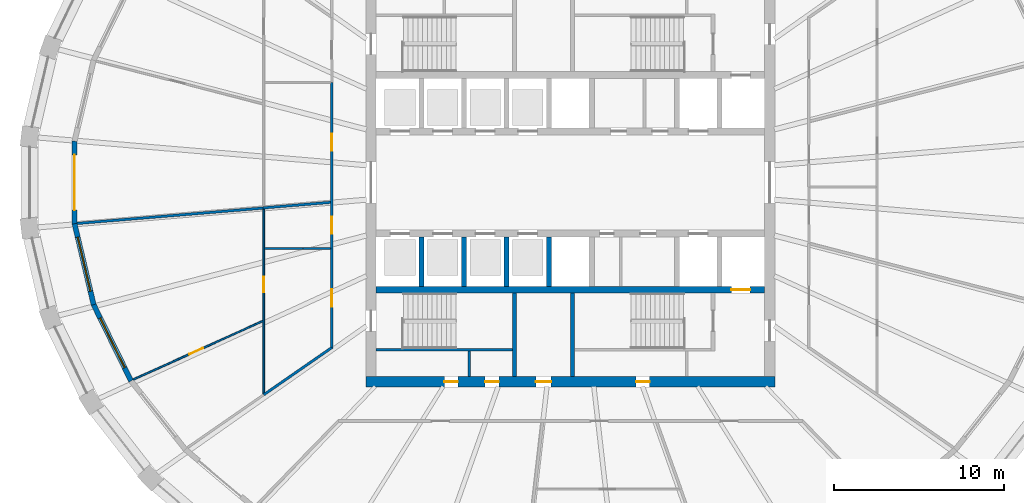
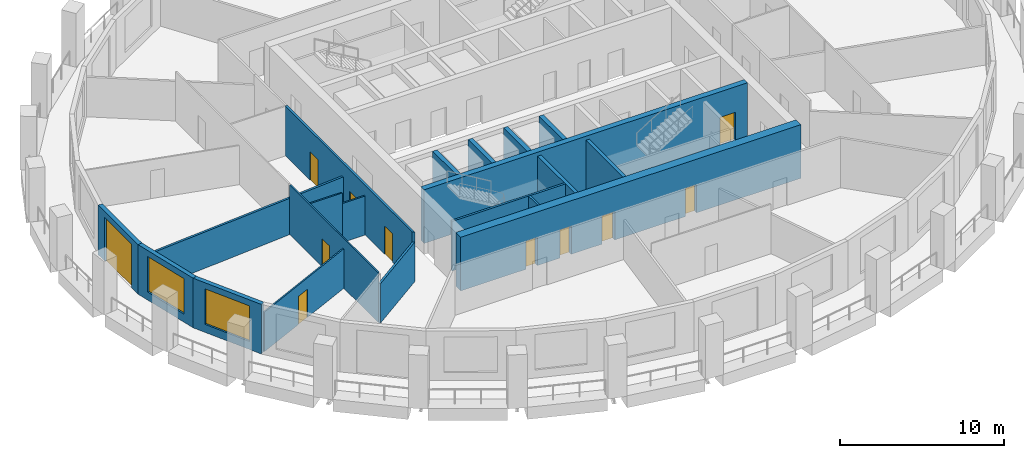
# One storey, part 3 of 11: 21 walls, 11 doors, 2 windows, 13 openings.
"""IFC4 building model written with IfcOpenShell, lengths in metres."""

from ifc_helpers import new_model, si_unit, direction, frame, frame_2d, origin, place, context, subcontext, project, spatial, polyline, rectangle, outline, extrude, material, layer, layer_set, type_object, element, fill, save


model = new_model("IFC4")

# Units and contexts
model_context = context("Model", 3, precision=1e-05, world=origin(), true_north=direction((0.0, 1.0)))
body_context = subcontext(model_context, "Body", "Model", "MODEL_VIEW")
ifc_project = project(units=[si_unit("LENGTHUNIT", "METRE"), si_unit("AREAUNIT", "SQUARE_METRE"), si_unit("VOLUMEUNIT", "CUBIC_METRE"), si_unit("PLANEANGLEUNIT", "RADIAN"), si_unit("MASSUNIT", "GRAM", prefix="KILO")], contexts=[model_context])

# Site, building, storey
site_placement = place(None, origin())
site = spatial("IfcSite", under=ifc_project, at=site_placement, CompositionType="ELEMENT")
building_placement = place(site_placement, origin())
building = spatial("IfcBuilding", under=site, at=building_placement, Name="Halqa Exchange Tower", CompositionType="ELEMENT")
storey_placement = place(building_placement, frame((0.0, 0.0, 214.89990234375)))
storey = spatial("IfcBuildingStorey", under=building, at=storey_placement, Name="L49", CompositionType="ELEMENT", Elevation=214.89990234375)

# Walls
ifc_material_1 = material(Name="Fire-rated gypsum board")
ifc_layer_1 = layer(ifc_material_1, 0.14990234375)
ifc_layer_set_1 = layer_set([ifc_layer_1], Name="Fire-rated gypsum board")
wall_type_1 = type_object("IfcWallType", Name="Fire partition EI 60 150", PredefinedType="PARTITIONING", material=ifc_layer_set_1)
wall_1_placement = place(storey_placement, frame((-18.0, -12.4599609375, 0.0), z_axis=(0.0, 0.0, 1.0), x_axis=(0.822102584422, 0.56933938972, 0.0)))
element("IfcWall", 1, at=wall_1_placement, inside=storey, type_object=wall_type_1, Name="L49-PWL-004", PredefinedType="PARTITIONING", context=body_context, shape_type="SweptSolid", body=[
    extrude(outline(polyline([(0.0, -0.074951171875), (1.634765625, -0.074951171875), (3.269775390625, -0.074951171875), (4.904541015625, -0.074951171875), (4.826171875, 0.074951171875), (3.21728515625, 0.074951171875), (1.608642578125, 0.074951171875), (0.0, 0.074951171875), (0.0, -0.074951171875)])), origin(), (0.0, 0.0, 1.0), 2.947021484375),
])
wall_2_placement = place(storey_placement, frame((-18.04931640625, -1.504150390625, 0.0), z_axis=(0.0, 0.0, 1.0), x_axis=(-0.996601116086, -0.082378488796, 0.0)))
element("IfcWall", 2, at=wall_2_placement, inside=storey, type_object=wall_type_1, Name="L49-PWL-007", PredefinedType="PARTITIONING", context=body_context, shape_type="SweptSolid", body=[
    extrude(outline(polyline([(10.935791015625, -0.074951171875), (10.935791015625, 0.0439453125), (10.93115234375, 0.074951171875), (9.1103515625, 0.074951171875), (7.289794921875, 0.074951171875), (5.468994140625, 0.074951171875), (3.648193359375, 0.074951171875), (1.82763671875, 0.074951171875), (0.0068359375, 0.074951171875), (0.0068359375, 0.074462890625), (0.001953125, 0.074951171875), (0.0, 0.074951171875), (0.0, -0.074951171875), (1.82275390625, -0.074951171875), (3.645263671875, -0.074951171875), (5.4677734375, -0.074951171875), (7.29052734375, -0.074951171875), (9.11328125, -0.074951171875), (10.935791015625, -0.074951171875)])), origin(), (0.0, 0.0, 1.0), 2.710205078125),
])

# Wall, openings, doors
wall_3_placement = place(storey_placement, frame((-14.0, -9.729248046875, 0.0), z_axis=(0.0, 0.0, 1.0), x_axis=(0.0, 1.0, 0.0)))
wall_3 = element("IfcWall", 3, at=wall_3_placement, inside=storey, type_object=wall_type_1, Name="L49-PWL-011", PredefinedType="PARTITIONING", context=body_context, shape_type="SweptSolid", body=[
    extrude(outline(polyline([(15.58935546875, 0.074951171875), (13.650390625, 0.074951171875), (11.711669921875, 0.074951171875), (9.772705078125, 0.074951171875), (7.833984375, 0.074951171875), (5.89501953125, 0.074951171875), (3.956298828125, 0.074951171875), (2.017333984375, 0.074951171875), (0.07861328125, 0.074951171875), (0.0, -0.074951171875), (0.0, -0.074951171875), (1.94873046875, -0.074951171875), (3.8974609375, -0.074951171875), (5.845947265625, -0.074951171875), (7.794677734375, -0.074951171875), (9.743408203125, -0.074951171875), (11.69189453125, -0.074951171875), (13.640625, -0.074951171875), (15.58935546875, -0.074951171875), (15.58935546875, 0.074951171875)])), origin(), (0.0, 0.0, 1.0), 3.7001953125),
])
opening_1_placement = place(wall_3_placement, frame((11.579345703125, 0.0, 0.0)))
opening_1 = element("IfcOpeningElement", 4, at=opening_1_placement, cuts=wall_3, Name="Opening 15-05", PredefinedType="OPENING", context=body_context, shape_type="SweptSolid", body=[
    extrude(rectangle(XDim=1.0, YDim=2.10009765625, at=frame_2d((0.5, 1.050048828125))), frame((0.0, 0.0869140625, 0.0), z_axis=(0.0, -1.0, 0.0), x_axis=(1.0, 0.0, 0.0)), (0.0, 0.0, 1.0), 0.173828125),
])
opening_2_placement = place(wall_3_placement, frame((2.44921875, 0.0, 0.0)))
opening_2 = element("IfcOpeningElement", 5, at=opening_2_placement, cuts=wall_3, Name="Opening 15-06", PredefinedType="OPENING", context=body_context, shape_type="SweptSolid", body=[
    extrude(rectangle(XDim=1.0, YDim=2.10009765625, at=frame_2d((0.5, 1.050048828125))), frame((0.0, 0.0869140625, 0.0), z_axis=(0.0, -1.0, 0.0), x_axis=(1.0, 0.0, 0.0)), (0.0, 0.0, 1.0), 0.173828125),
])
opening_3_placement = place(wall_3_placement, frame((6.71435546875, 0.0, 0.0)))
opening_3 = element("IfcOpeningElement", 6, at=opening_3_placement, cuts=wall_3, Name="Opening 15-07", PredefinedType="OPENING", context=body_context, shape_type="SweptSolid", body=[
    extrude(rectangle(XDim=1.0, YDim=2.10009765625, at=frame_2d((0.5, 1.050048828125))), frame((0.0, 0.0869140625, 0.0), z_axis=(0.0, -1.0, 0.0), x_axis=(1.0, 0.0, 0.0)), (0.0, 0.0, 1.0), 0.173828125),
])
ifc_material_2 = material(Name="Steel fire door leaf", Category="steel")
door_type_1 = type_object("IfcDoorType", Name="Fire door FD30S 1000 x 2100", OperationType="SINGLE_SWING_LEFT", PredefinedType="DOOR", material=ifc_material_2)
door_1_placement = place(opening_1_placement, origin())
door_1 = element("IfcDoor", 7, at=door_1_placement, inside=storey, type_object=door_type_1, Name="L49-IDR-005", OperationType="SINGLE_SWING_LEFT", OverallHeight=2.10009765625, OverallWidth=1.0, PredefinedType="DOOR", context=body_context, shape_type="SweptSolid", body=[
    extrude(rectangle(XDim=1.0, YDim=2.10009765625, at=frame_2d((0.5, 1.050048828125))), frame((0.0, 0.02490234375, 0.0), z_axis=(0.0, -1.0, 0.0), x_axis=(1.0, 0.0, 0.0)), (0.0, 0.0, 1.0), 0.050048828125),
])
fill(opening_1, door_1)
door_2_placement = place(opening_2_placement, origin())
door_2 = element("IfcDoor", 8, at=door_2_placement, inside=storey, type_object=door_type_1, Name="L49-IDR-006", OperationType="SINGLE_SWING_LEFT", OverallHeight=2.10009765625, OverallWidth=1.0, PredefinedType="DOOR", context=body_context, shape_type="SweptSolid", body=[
    extrude(rectangle(XDim=1.0, YDim=2.10009765625, at=frame_2d((0.5, 1.050048828125))), frame((0.0, 0.02490234375, 0.0), z_axis=(0.0, -1.0, 0.0), x_axis=(1.0, 0.0, 0.0)), (0.0, 0.0, 1.0), 0.050048828125),
])
fill(opening_2, door_2)
door_3_placement = place(opening_3_placement, origin())
door_3 = element("IfcDoor", 9, at=door_3_placement, inside=storey, type_object=door_type_1, Name="L49-IDR-007", OperationType="SINGLE_SWING_LEFT", OverallHeight=2.10009765625, OverallWidth=1.0, PredefinedType="DOOR", context=body_context, shape_type="SweptSolid", body=[
    extrude(rectangle(XDim=1.0, YDim=2.10009765625, at=frame_2d((0.5, 1.050048828125))), frame((0.0, 0.02490234375, 0.0), z_axis=(0.0, -1.0, 0.0), x_axis=(1.0, 0.0, 0.0)), (0.0, 0.0, 1.0), 0.050048828125),
])
fill(opening_3, door_3)

# Wall
wall_4_placement = place(storey_placement, frame((-14.0693359375, -1.165771484375, 0.0), z_axis=(0.0, 0.0, 1.0), x_axis=(-0.996614549641, -0.082215810186, 0.0)))
element("IfcWall", 10, at=wall_4_placement, inside=storey, type_object=wall_type_1, Name="L49-PWL-012", PredefinedType="PARTITIONING", context=body_context, shape_type="SweptSolid", body=[
    extrude(outline(polyline([(0.0, -0.074951171875), (1.94384765625, -0.074951171875), (3.8876953125, -0.074951171875), (3.88818359375, -0.067138671875), (3.982421875, -0.074951171875), (3.993896484375, -0.074951171875), (3.993896484375, 0.074951171875), (2.0029296875, 0.074951171875), (0.011962890625, 0.074951171875), (0.0, -0.06884765625), (0.0, -0.074951171875)])), origin(), (0.0, 0.0, 1.0), 2.710205078125),
])

# Wall, opening, door
ifc_material_3 = material(Name="Gypsum board")
ifc_layer_2 = layer(ifc_material_3, 0.10009765625)
ifc_layer_set_2 = layer_set([ifc_layer_2], Name="Gypsum board")
wall_type_2 = type_object("IfcWallType", Name="Partition 100 gypsum", PredefinedType="PARTITIONING", material=ifc_layer_set_2)
wall_5_placement = place(storey_placement, frame((-18.0, -12.42138671875, 0.0), z_axis=(0.0, 0.0, 1.0), x_axis=(0.0, 1.0, 0.0)))
wall_5 = element("IfcWall", 11, at=wall_5_placement, inside=storey, type_object=wall_type_2, Name="L49-PWL-003", PredefinedType="PARTITIONING", context=body_context, shape_type="SweptSolid", body=[
    extrude(outline(polyline([(0.08740234375, -0.050048828125), (1.77001953125, -0.050048828125), (3.452880859375, -0.050048828125), (5.1357421875, -0.050048828125), (6.818603515625, -0.050048828125), (8.50146484375, -0.050048828125), (8.50146484375, -0.050048828125), (8.601318359375, -0.050048828125), (8.601318359375, -0.050048828125), (10.84228515625, -0.050048828125), (10.84228515625, 0.046142578125), (10.842041015625, 0.050048828125), (9.19140625, 0.050048828125), (7.541015625, 0.050048828125), (5.890380859375, 0.050048828125), (4.239990234375, 0.050048828125), (4.235107421875, 0.0478515625), (4.23388671875, 0.050048828125), (2.82275390625, 0.050048828125), (1.411376953125, 0.050048828125), (0.0, 0.050048828125), (0.0, 0.049560546875), (0.0107421875, 0.0341796875), (0.023193359375, 0.042724609375), (0.08740234375, -0.050048828125)])), origin(), (0.0, 0.0, 1.0), 3.7001953125),
])
opening_4_placement = place(wall_5_placement, frame((5.9814453125, 0.0, 0.0)))
opening_4 = element("IfcOpeningElement", 12, at=opening_4_placement, cuts=wall_5, Name="Opening 15-17", PredefinedType="OPENING", context=body_context, shape_type="SweptSolid", body=[
    extrude(rectangle(XDim=0.89990234375, YDim=2.10009765625, at=frame_2d((0.449951171875, 1.050048828125))), frame((0.0, 0.06201171875, 0.0), z_axis=(0.0, -1.0, 0.0), x_axis=(1.0, 0.0, 0.0)), (0.0, 0.0, 1.0), 0.1240234375),
])
ifc_material_4 = material(Name="Timber door leaf", Category="wood")
door_type_2 = type_object("IfcDoorType", Name="Door 900 x 2100", OperationType="SINGLE_SWING_LEFT", PredefinedType="DOOR", material=ifc_material_4)
door_4_placement = place(opening_4_placement, frame((0.89990234375, 0.0, 0.0), z_axis=(0.0, 0.0, 1.0), x_axis=(-1.0, 0.0, 0.0)))
door_4 = element("IfcDoor", 13, at=door_4_placement, inside=storey, type_object=door_type_2, Name="L49-IDR-017", OperationType="SINGLE_SWING_RIGHT", OverallHeight=2.10009765625, OverallWidth=0.89990234375, PredefinedType="DOOR", context=body_context, shape_type="SweptSolid", body=[
    extrude(rectangle(XDim=0.89990234375, YDim=2.10009765625, at=frame_2d((0.449951171875, 1.050048828125))), frame((0.0, 0.02490234375, 0.0), z_axis=(0.0, -1.0, 0.0), x_axis=(1.0, 0.0, 0.0)), (0.0, 0.0, 1.0), 0.050048828125),
])
fill(opening_4, door_4)

wall_6_placement = place(storey_placement, frame((-18.029541015625, -8.123291015625, 0.0), z_axis=(0.0, 0.0, 1.0), x_axis=(-0.911431984772, -0.411450771216, 0.0)))
wall_6 = element("IfcWall", 14, at=wall_6_placement, inside=storey, type_object=wall_type_2, Name="L49-PWL-005", PredefinedType="PARTITIONING", context=body_context, shape_type="SweptSolid", body=[
    extrude(outline(polyline([(8.372314453125, -0.050048828125), (8.372314453125, -0.0419921875), (8.370849609375, -0.000244140625), (8.3583984375, 0.050048828125), (6.69580078125, 0.050048828125), (5.032958984375, 0.050048828125), (3.370361328125, 0.050048828125), (1.707763671875, 0.050048828125), (0.044921875, 0.050048828125), (0.0, -0.0498046875), (0.0, -0.050048828125), (1.674560546875, -0.050048828125), (3.348876953125, -0.050048828125), (5.0234375, -0.050048828125), (6.69775390625, -0.050048828125), (8.372314453125, -0.050048828125)])), origin(), (0.0, 0.0, 1.0), 2.947021484375),
])
opening_5_placement = place(wall_6_placement, frame((3.867919921875, 0.0, 0.0)))
opening_5 = element("IfcOpeningElement", 15, at=opening_5_placement, cuts=wall_6, Name="Opening 15-18", PredefinedType="OPENING", context=body_context, shape_type="SweptSolid", body=[
    extrude(rectangle(XDim=0.89990234375, YDim=2.10009765625, at=frame_2d((0.449951171875, 1.050048828125))), frame((0.0, 0.06201171875, 0.0), z_axis=(0.0, -1.0, 0.0), x_axis=(1.0, 0.0, 0.0)), (0.0, 0.0, 1.0), 0.1240234375),
])
door_5_placement = place(opening_5_placement, origin())
door_5 = element("IfcDoor", 16, at=door_5_placement, inside=storey, type_object=door_type_2, Name="L49-IDR-018", OperationType="SINGLE_SWING_LEFT", OverallHeight=2.10009765625, OverallWidth=0.89990234375, PredefinedType="DOOR", context=body_context, shape_type="SweptSolid", body=[
    extrude(rectangle(XDim=0.89990234375, YDim=2.10009765625, at=frame_2d((0.449951171875, 1.050048828125))), frame((0.0, 0.02490234375, 0.0), z_axis=(0.0, -1.0, 0.0), x_axis=(1.0, 0.0, 0.0)), (0.0, 0.0, 1.0), 0.050048828125),
])
fill(opening_5, door_5)

# Walls
wall_7_placement = place(storey_placement, frame((-17.949951171875, -3.8701171875, 0.0), z_axis=(0.0, 0.0, 1.0), x_axis=(1.0, 0.0, 0.0)))
element("IfcWall", 17, at=wall_7_placement, inside=storey, type_object=wall_type_2, Name="L49-PWL-006", PredefinedType="PARTITIONING", context=body_context, shape_type="SweptSolid", body=[
    extrude(rectangle(XDim=2.2578125, YDim=0.10009765625, at=frame_2d((1.12890625, 0.0))), origin(), (0.0, 0.0, 1.0), 3.7001953125),
])
wall_8_placement = place(storey_placement, frame((-15.692138671875, -3.8701171875, 0.0), z_axis=(0.0, 0.0, 1.0), x_axis=(1.0, 0.0, 0.0)))
element("IfcWall", 18, at=wall_8_placement, inside=storey, type_object=wall_type_2, Name="L49-PWL-040", PredefinedType="PARTITIONING", context=body_context, shape_type="SweptSolid", body=[
    extrude(rectangle(XDim=1.6171875, YDim=0.10009765625, at=frame_2d((0.80859375, 0.0))), origin(), (0.0, 0.0, 1.0), 2.91015625),
])
ifc_layer_3 = layer(ifc_material_3, 0.14990234375)
ifc_layer_set_3 = layer_set([ifc_layer_3], Name="Gypsum board")
wall_type_3 = type_object("IfcWallType", Name="Penthouse riser wall 150 gypsum", PredefinedType="PARTITIONING", material=ifc_layer_set_3)
wall_9_placement = place(storey_placement, frame((-5.925048828125, -11.39990234375, 0.0), z_axis=(0.0, 0.0, 1.0), x_axis=(0.0, 1.0, 0.0)))
element("IfcWall", 19, at=wall_9_placement, inside=storey, type_object=wall_type_3, Name="Partition W5.925 S", PredefinedType="PARTITIONING", context=body_context, shape_type="SweptSolid", body=[
    extrude(rectangle(XDim=1.5, YDim=0.14990234375, at=frame_2d((0.75, 0.0))), origin(), (0.0, 0.0, 1.0), 3.7001953125),
])
ifc_material_5 = material(Name="Concrete C60/75", Category="concrete")
ifc_layer_4 = layer(ifc_material_5, 0.300048828125)
ifc_layer_set_4 = layer_set([ifc_layer_4], Name="Concrete C60/75")
wall_type_4 = type_object("IfcWallType", Name="RC core wall 300", PredefinedType="SHEAR", material=ifc_layer_set_4)
for number, where, z_axis, x_axis, name in (
    (20, (-8.75, -6.10009765625, 0.0), (0.0, 0.0, 1.0), (0.0, 1.0, 0.0), "Shaft divider S1"),
    (21, (-6.25, -6.10009765625, 0.0), (0.0, 0.0, 1.0), (0.0, 1.0, 0.0), "Shaft divider S2"),
    (22, (-3.75, -6.10009765625, 0.0), (0.0, 0.0, 1.0), (0.0, 1.0, 0.0), "Shaft divider S3"),
    (23, (-1.25, -6.10009765625, 0.0), (0.0, 0.0, 1.0), (0.0, 1.0, 0.0), "Shaft divider S4"),
):
    element("IfcWall", number, at=place(storey_placement, frame(where, z_axis=z_axis, x_axis=x_axis)), inside=storey, type_object=wall_type_4, Name=name, PredefinedType="SHEAR", context=body_context, shape_type="SweptSolid", body=[
        extrude(rectangle(XDim=2.900146484375, YDim=0.300048828125, at=frame_2d((1.4501953125, 0.0))), origin(), (0.0, 0.0, 1.0), 4.0),
    ])

# Wall, opening, door
ifc_material_6 = material(Name="Concrete C70/85", Category="concrete")
ifc_layer_5 = layer(ifc_material_6, 0.39990234375)
ifc_layer_set_5 = layer_set([ifc_layer_5], Name="Concrete C70/85")
wall_type_5 = type_object("IfcWallType", Name="RC core wall 400 C70/85", PredefinedType="SHEAR", material=ifc_layer_set_5)
wall_10_placement = place(storey_placement, frame((-11.39990234375, -6.300048828125, 0.0), z_axis=(0.0, 0.0, 1.0), x_axis=(1.0, 0.0, 0.0)))
wall_10 = element("IfcWall", 24, at=wall_10_placement, inside=storey, type_object=wall_type_5, Name="Lift row back wall S", PredefinedType="SHEAR", context=body_context, shape_type="SweptSolid", body=[
    extrude(rectangle(XDim=22.7998046875, YDim=0.39990234375, at=frame_2d((11.39990234375, 0.0))), origin(), (0.0, 0.0, 1.0), 4.0),
])
opening_6_placement = place(wall_10_placement, frame((20.85009765625, 0.0, 0.0)))
opening_6 = element("IfcOpeningElement", 25, at=opening_6_placement, cuts=wall_10, Name="Opening LD-FF2-T15", PredefinedType="OPENING", context=body_context, shape_type="SweptSolid", body=[
    extrude(rectangle(XDim=1.10009765625, YDim=2.10009765625, at=frame_2d((0.550048828125, 1.050048828125))), frame((0.0, 0.2119140625, 0.0), z_axis=(0.0, -1.0, 0.0), x_axis=(1.0, 0.0, 0.0)), (0.0, 0.0, 1.0), 0.423828125),
])
ifc_material_7 = material(Name="Stainless steel", Category="steel")
door_type_3 = type_object("IfcDoorType", Name="Lift landing door 1100 x 2100", OperationType="SLIDING_TO_LEFT", PredefinedType="DOOR", material=ifc_material_7)
door_6_placement = place(opening_6_placement, origin())
door_6 = element("IfcDoor", 26, at=door_6_placement, inside=storey, type_object=door_type_3, Name="Lift landing door FF2", OperationType="SLIDING_TO_LEFT", OverallHeight=2.10009765625, OverallWidth=1.10009765625, PredefinedType="DOOR", context=body_context, shape_type="SweptSolid", body=[
    extrude(rectangle(XDim=1.10009765625, YDim=2.10009765625, at=frame_2d((0.550048828125, 1.050048828125))), frame((0.0, 0.02490234375, 0.0), z_axis=(0.0, -1.0, 0.0), x_axis=(1.0, 0.0, 0.0)), (0.0, 0.0, 1.0), 0.050048828125),
])
fill(opening_6, door_6)

# Wall, openings, doors
ifc_layer_6 = layer(ifc_material_6, 0.60009765625)
ifc_layer_set_6 = layer_set([ifc_layer_6], Name="Concrete C70/85")
wall_type_6 = type_object("IfcWallType", Name="RC core wall 600 C70/85", PredefinedType="SHEAR", material=ifc_layer_set_6)
wall_11_placement = place(storey_placement, frame((-12.0, -11.699951171875, 0.0), z_axis=(0.0, 0.0, 1.0), x_axis=(1.0, 0.0, 0.0)))
wall_11 = element("IfcWall", 27, at=wall_11_placement, inside=storey, type_object=wall_type_6, Name="Core wall south", PredefinedType="SHEAR", context=body_context, shape_type="SweptSolid", body=[
    extrude(rectangle(XDim=24.0, YDim=0.60009765625, at=frame_2d((12.0, 0.0))), origin(), (0.0, 0.0, 1.0), 4.0),
])
opening_7_placement = place(wall_11_placement, frame((9.97509765625, 0.0, 0.0)))
opening_7 = element("IfcOpeningElement", 28, at=opening_7_placement, cuts=wall_11, Name="Opening T15-C25", PredefinedType="OPENING", context=body_context, shape_type="SweptSolid", body=[
    extrude(rectangle(XDim=0.89990234375, YDim=2.10009765625, at=frame_2d((0.449951171875, 1.050048828125))), frame((0.0, 0.31201171875, 0.0), z_axis=(0.0, -1.0, 0.0), x_axis=(1.0, 0.0, 0.0)), (0.0, 0.0, 1.0), 0.6240234375),
])
opening_8_placement = place(wall_11_placement, frame((4.60009765625, 0.0, 0.0)))
opening_8 = element("IfcOpeningElement", 29, at=opening_8_placement, cuts=wall_11, Name="Opening T15-C26", PredefinedType="OPENING", context=body_context, shape_type="SweptSolid", body=[
    extrude(rectangle(XDim=0.800048828125, YDim=2.10009765625, at=frame_2d((0.39990234375, 1.050048828125))), frame((0.0, 0.31201171875, 0.0), z_axis=(0.0, -1.0, 0.0), x_axis=(1.0, 0.0, 0.0)), (0.0, 0.0, 1.0), 0.6240234375),
])
opening_9_placement = place(wall_11_placement, frame((7.0, 0.0, 0.0)))
opening_9 = element("IfcOpeningElement", 30, at=opening_9_placement, cuts=wall_11, Name="Opening T15-C27", PredefinedType="OPENING", context=body_context, shape_type="SweptSolid", body=[
    extrude(rectangle(XDim=0.800048828125, YDim=2.10009765625, at=frame_2d((0.39990234375, 1.050048828125))), frame((0.0, 0.31201171875, 0.0), z_axis=(0.0, -1.0, 0.0), x_axis=(1.0, 0.0, 0.0)), (0.0, 0.0, 1.0), 0.6240234375),
])
opening_10_placement = place(wall_11_placement, frame((15.85009765625, 0.0, 0.0)))
opening_10 = element("IfcOpeningElement", 31, at=opening_10_placement, cuts=wall_11, Name="Opening T15-C28", PredefinedType="OPENING", context=body_context, shape_type="SweptSolid", body=[
    extrude(rectangle(XDim=0.800048828125, YDim=2.10009765625, at=frame_2d((0.39990234375, 1.050048828125))), frame((0.0, 0.31201171875, 0.0), z_axis=(0.0, -1.0, 0.0), x_axis=(1.0, 0.0, 0.0)), (0.0, 0.0, 1.0), 0.6240234375),
])
ifc_material_8 = material(Name="Timber fire door leaf", Category="wood")
door_type_4 = type_object("IfcDoorType", Name="Core room door FD30 900 x 2100", OperationType="SINGLE_SWING_LEFT", PredefinedType="DOOR", material=ifc_material_8)
door_7_placement = place(opening_7_placement, origin())
door_7 = element("IfcDoor", 32, at=door_7_placement, inside=storey, type_object=door_type_4, Name="Core room door", OperationType="SINGLE_SWING_RIGHT", OverallHeight=2.10009765625, OverallWidth=0.89990234375, PredefinedType="DOOR", context=body_context, shape_type="SweptSolid", body=[
    extrude(rectangle(XDim=0.89990234375, YDim=2.10009765625, at=frame_2d((0.449951171875, 1.050048828125))), frame((0.0, 0.02490234375, 0.0), z_axis=(0.0, -1.0, 0.0), x_axis=(1.0, 0.0, 0.0)), (0.0, 0.0, 1.0), 0.050048828125),
])
fill(opening_7, door_7)
door_type_5 = type_object("IfcDoorType", Name="Riser door FD60 800 x 2100", OperationType="SINGLE_SWING_LEFT", PredefinedType="DOOR", material=ifc_material_2)
door_8_placement = place(opening_8_placement, origin())
door_8 = element("IfcDoor", 33, at=door_8_placement, inside=storey, type_object=door_type_5, Name="Core room door", OperationType="SINGLE_SWING_LEFT", OverallHeight=2.10009765625, OverallWidth=0.800048828125, PredefinedType="DOOR", context=body_context, shape_type="SweptSolid", body=[
    extrude(rectangle(XDim=0.800048828125, YDim=2.10009765625, at=frame_2d((0.39990234375, 1.050048828125))), frame((0.0, 0.02490234375, 0.0), z_axis=(0.0, -1.0, 0.0), x_axis=(1.0, 0.0, 0.0)), (0.0, 0.0, 1.0), 0.050048828125),
])
fill(opening_8, door_8)
door_9_placement = place(opening_9_placement, origin())
door_9 = element("IfcDoor", 34, at=door_9_placement, inside=storey, type_object=door_type_5, Name="Core room door", OperationType="SINGLE_SWING_RIGHT", OverallHeight=2.10009765625, OverallWidth=0.800048828125, PredefinedType="DOOR", context=body_context, shape_type="SweptSolid", body=[
    extrude(rectangle(XDim=0.800048828125, YDim=2.10009765625, at=frame_2d((0.39990234375, 1.050048828125))), frame((0.0, 0.02490234375, 0.0), z_axis=(0.0, -1.0, 0.0), x_axis=(1.0, 0.0, 0.0)), (0.0, 0.0, 1.0), 0.050048828125),
])
fill(opening_9, door_9)
door_10_placement = place(opening_10_placement, origin())
door_10 = element("IfcDoor", 35, at=door_10_placement, inside=storey, type_object=door_type_5, Name="Core room door", OperationType="SINGLE_SWING_LEFT", OverallHeight=2.10009765625, OverallWidth=0.800048828125, PredefinedType="DOOR", context=body_context, shape_type="SweptSolid", body=[
    extrude(rectangle(XDim=0.800048828125, YDim=2.10009765625, at=frame_2d((0.39990234375, 1.050048828125))), frame((0.0, 0.02490234375, 0.0), z_axis=(0.0, -1.0, 0.0), x_axis=(1.0, 0.0, 0.0)), (0.0, 0.0, 1.0), 0.050048828125),
])
fill(opening_10, door_10)

# Walls
ifc_material_9 = material(Name="Concrete C30/37", Category="concrete")
ifc_layer_7 = layer(ifc_material_9, 0.14990234375)
ifc_layer_set_7 = layer_set([ifc_layer_7], Name="Concrete C30/37")
wall_type_7 = type_object("IfcWallType", Name="RC stair wall 150 C30/37", PredefinedType="SHEAR", material=ifc_layer_set_7)
wall_12_placement = place(storey_placement, frame((-11.39990234375, -9.824951171875, 0.0), z_axis=(0.0, 0.0, 1.0), x_axis=(1.0, 0.0, 0.0)))
element("IfcWall", 36, at=wall_12_placement, inside=storey, type_object=wall_type_7, Name="Stair ST1 north wall S", PredefinedType="SHEAR", context=body_context, shape_type="SweptSolid", body=[
    extrude(rectangle(XDim=8.0, YDim=0.14990234375, at=frame_2d((4.0, 0.0))), origin(), (0.0, 0.0, 1.0), 3.7001953125),
])
ifc_layer_8 = layer(ifc_material_9, 0.25)
ifc_layer_set_8 = layer_set([ifc_layer_8], Name="Concrete C30/37")
wall_type_8 = type_object("IfcWallType", Name="RC stair wall 250 C30/37", PredefinedType="SHEAR", material=ifc_layer_set_8)
for number, where, z_axis, x_axis, name in (
    (37, (-3.27490234375, -11.39990234375, 0.0), (0.0, 0.0, 1.0), (0.0, 1.0, 0.0), "Stair ST1 east wall S"),
    (38, (0.125, -11.39990234375, 0.0), (0.0, 0.0, 1.0), (0.0, 1.0, 0.0), "Stair ST2 west wall S"),
):
    element("IfcWall", number, at=place(storey_placement, frame(where, z_axis=z_axis, x_axis=x_axis)), inside=storey, type_object=wall_type_8, Name=name, PredefinedType="SHEAR", context=body_context, shape_type="SweptSolid", body=[
        extrude(rectangle(XDim=4.89990234375, YDim=0.25, at=frame_2d((2.449951171875, 0.0))), origin(), (0.0, 0.0, 1.0), 3.7001953125),
    ])

# Wall, opening, door
ifc_material_10 = material(Name="Limestone cladding", Category="masonry")
ifc_layer_9 = layer(ifc_material_10, 0.0400390625)
ifc_material_11 = material(Name="Ventilated cavity")
ifc_layer_10 = layer(ifc_material_11, 0.030029296875, ventilated=True)
ifc_material_12 = material(Name="Mineral wool insulation")
ifc_layer_11 = layer(ifc_material_12, 0.10009765625)
ifc_layer_12 = layer(ifc_material_9, 0.10009765625)
ifc_material_13 = material(Name="Internal plaster")
ifc_layer_13 = layer(ifc_material_13, 0.030029296875)
ifc_layer_set_9 = layer_set([ifc_layer_9, ifc_layer_10, ifc_layer_11, ifc_layer_12, ifc_layer_13], Name="Stone-faced insulated wall 300")
wall_type_9 = type_object("IfcWallType", Name="Stone-faced insulated wall 300", PredefinedType="STANDARD", material=ifc_layer_set_9)
wall_13_placement = place(storey_placement, frame((-29.1044921875, 2.422607421875, 0.0), z_axis=(0.0, 0.0, 1.0), x_axis=(0.0, -1.0, 0.0)))
wall_13 = element("IfcWall", 39, at=wall_13_placement, inside=storey, type_object=wall_type_9, Name="Glass-line wall 16", PredefinedType="STANDARD", context=body_context, shape_type="SweptSolid", body=[
    extrude(outline(polyline([(-0.017333984375, -0.14990234375), (4.862548828125, -0.14990234375), (4.827880859375, 0.14990234375), (0.017333984375, 0.14990234375), (-0.017333984375, -0.14990234375)])), origin(), (0.0, 0.0, 1.0), 3.7001953125),
])
opening_11_placement = place(wall_13_placement, frame((0.797607421875, 0.0, 0.0)))
opening_11 = element("IfcOpeningElement", 40, at=opening_11_placement, cuts=wall_13, Name="Opening LG-F3-04", PredefinedType="OPENING", context=body_context, shape_type="SweptSolid", body=[
    extrude(rectangle(XDim=3.25, YDim=3.25, at=frame_2d((1.625, 1.625))), frame((0.0, 0.162109375, 0.0), z_axis=(0.0, -1.0, 0.0), x_axis=(1.0, 0.0, 0.0)), (0.0, 0.0, 1.0), 0.323974609375),
])
ifc_material_14 = material(Name="Clear low-emissivity glass in aluminium frame", Category="aluminium")
door_type_6 = type_object("IfcDoorType", Name="Glazed sliding loggia door 3250 x 3250", OperationType="DOUBLE_DOOR_SLIDING", PredefinedType="DOOR", material=ifc_material_14)
door_11_placement = place(opening_11_placement, origin())
door_11 = element("IfcDoor", 41, at=door_11_placement, inside=storey, type_object=door_type_6, Name="Loggia door 4", OperationType="DOUBLE_DOOR_SLIDING", OverallHeight=3.25, OverallWidth=3.25, PredefinedType="DOOR", context=body_context, shape_type="SweptSolid", body=[
    extrude(rectangle(XDim=3.25, YDim=3.25, at=frame_2d((1.625, 1.625))), frame((0.0, 0.02490234375, 0.0), z_axis=(0.0, -1.0, 0.0), x_axis=(1.0, 0.0, 0.0)), (0.0, 0.0, 1.0), 0.050048828125),
])
fill(opening_11, door_11)

# Wall, opening, window
wall_14_placement = place(storey_placement, frame((-29.1044921875, -2.422607421875, 0.0), z_axis=(0.0, 0.0, 1.0), x_axis=(0.229546618766, -0.97329766763, 0.0)))
wall_14 = element("IfcWall", 42, at=wall_14_placement, inside=storey, type_object=wall_type_9, Name="Glass-line wall 17", PredefinedType="STANDARD", context=body_context, shape_type="SweptSolid", body=[
    extrude(outline(polyline([(-0.017333984375, -0.14990234375), (4.898681640625, -0.14990234375), (4.864990234375, 0.14990234375), (0.017333984375, 0.14990234375), (-0.017333984375, -0.14990234375)])), origin(), (0.0, 0.0, 1.0), 3.7001953125),
])
opening_12_placement = place(wall_14_placement, frame((0.81591796875, 0.0, 0.60009765625)))
opening_12 = element("IfcOpeningElement", 43, at=opening_12_placement, cuts=wall_14, Name="Opening W-F3-17", PredefinedType="OPENING", context=body_context, shape_type="SweptSolid", body=[
    extrude(rectangle(XDim=3.25, YDim=2.64990234375, at=frame_2d((1.625, 1.324951171875))), frame((0.0, 0.162109375, 0.0), z_axis=(0.0, -1.0, 0.0), x_axis=(1.0, 0.0, 0.0)), (0.0, 0.0, 1.0), 0.323974609375),
])
window_type = type_object("IfcWindowType", Name="Fixed clear glazed window 3250 x 2650", PartitioningType="TRIPLE_PANEL_VERTICAL", PredefinedType="WINDOW", material=ifc_material_14)
window_1_placement = place(opening_12_placement, origin())
window_1 = element("IfcWindow", 44, at=window_1_placement, inside=storey, type_object=window_type, Name="Window 3", OverallHeight=2.64990234375, OverallWidth=3.25, PartitioningType="TRIPLE_PANEL_VERTICAL", PredefinedType="WINDOW", context=body_context, shape_type="SweptSolid", body=[
    extrude(rectangle(XDim=3.25, YDim=2.64990234375, at=frame_2d((1.625, 1.324951171875))), frame((0.0, 0.030029296875, 0.0), z_axis=(0.0, -1.0, 0.0), x_axis=(1.0, 0.0, 0.0)), (0.0, 0.0, 1.0), 0.06005859375),
])
fill(opening_12, window_1)

wall_15_placement = place(storey_placement, frame((-27.98388671875, -7.174072265625, 0.0), z_axis=(0.0, 0.0, 1.0), x_axis=(0.440795186599, -0.897607711348, 0.0)))
wall_15 = element("IfcWall", 45, at=wall_15_placement, inside=storey, type_object=wall_type_9, Name="Glass-line wall 18", PredefinedType="STANDARD", context=body_context, shape_type="SweptSolid", body=[
    extrude(outline(polyline([(-0.016845703125, -0.14990234375), (5.000244140625, -0.14990234375), (4.968017578125, 0.14990234375), (0.016845703125, 0.14990234375), (-0.016845703125, -0.14990234375)])), origin(), (0.0, 0.0, 1.0), 3.7001953125),
])
opening_13_placement = place(wall_15_placement, frame((0.8671875, 0.0, 0.60009765625)))
opening_13 = element("IfcOpeningElement", 46, at=opening_13_placement, cuts=wall_15, Name="Opening W-F3-18", PredefinedType="OPENING", context=body_context, shape_type="SweptSolid", body=[
    extrude(rectangle(XDim=3.25, YDim=2.64990234375, at=frame_2d((1.625, 1.324951171875))), frame((0.0, 0.162109375, 0.0), z_axis=(0.0, -1.0, 0.0), x_axis=(1.0, 0.0, 0.0)), (0.0, 0.0, 1.0), 0.323974609375),
])
window_2_placement = place(opening_13_placement, origin())
window_2 = element("IfcWindow", 47, at=window_2_placement, inside=storey, type_object=window_type, Name="Window 3", OverallHeight=2.64990234375, OverallWidth=3.25, PartitioningType="TRIPLE_PANEL_VERTICAL", PredefinedType="WINDOW", context=body_context, shape_type="SweptSolid", body=[
    extrude(rectangle(XDim=3.25, YDim=2.64990234375, at=frame_2d((1.625, 1.324951171875))), frame((0.0, 0.030029296875, 0.0), z_axis=(0.0, -1.0, 0.0), x_axis=(1.0, 0.0, 0.0)), (0.0, 0.0, 1.0), 0.06005859375),
])
fill(opening_13, window_2)

save(model, "model.ifc")
